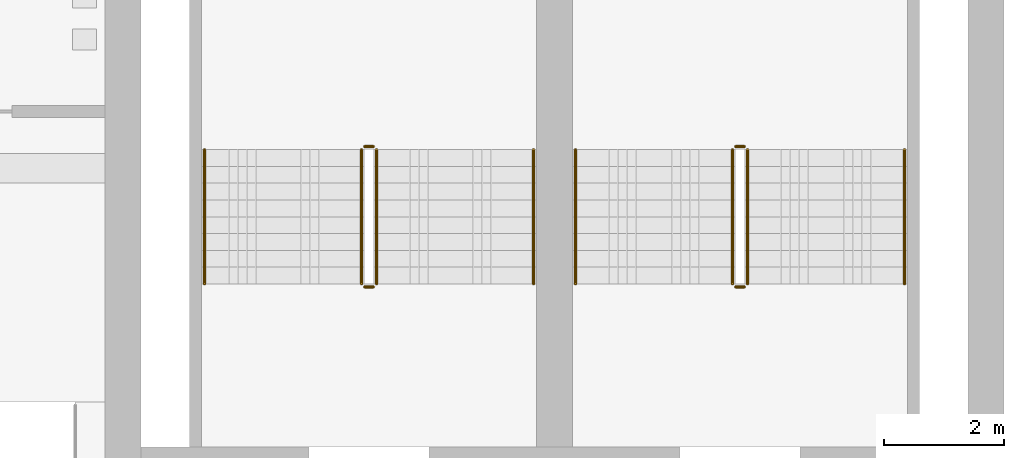
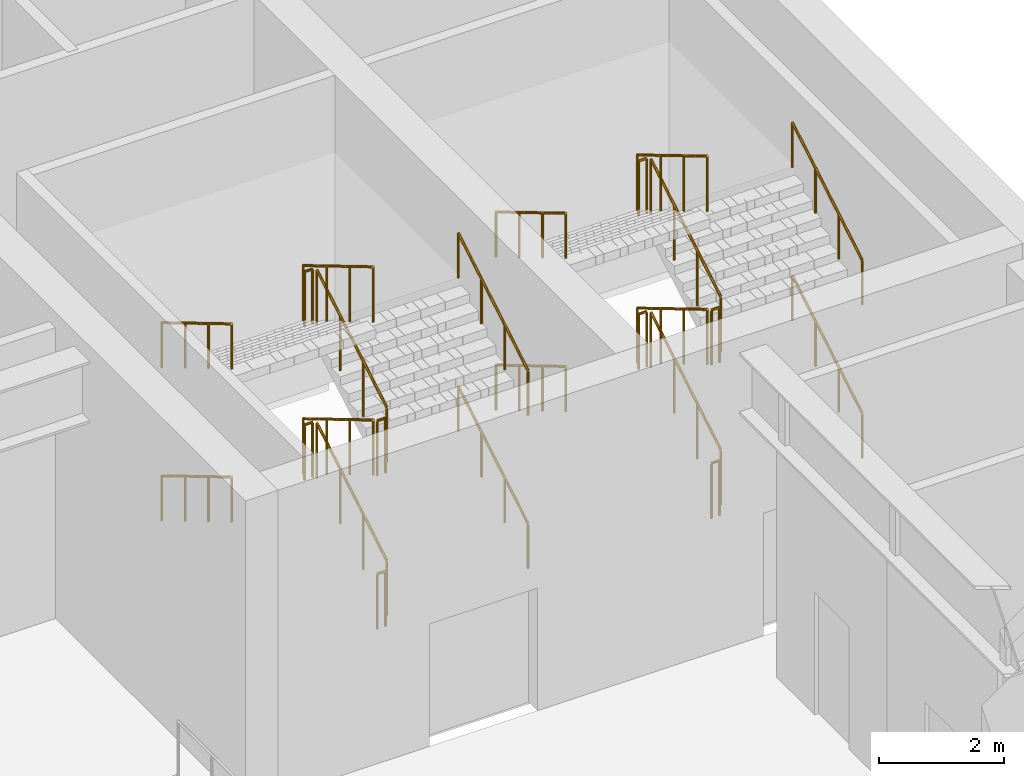
# One storey, part 40 of 41: 4 railings.
"""IFC4 building model written with IfcOpenShell, lengths in metres."""

import ifcopenshell
import ifcopenshell.guid

model = None  # the IFC model being written
_history = None  # IfcOwnerHistory: only IFC2X3 demands one
_inside = {}  # id of a spatial element -> (the spatial element, [elements in it])
_under = {}  # id of a project, library or spatial element -> (it, [spatial elements below it])
_declared = {}  # id of a project -> (the project, [libraries it declares])
_typed = {}  # id of a type object -> (the type object, [elements of that type])
_made_of = {}  # id of a material, layer set ... -> (it, [elements and type objects made of it])


def new_model(schema):
    """Start an empty IFC model of exactly this schema.

    Asked for "IFC4X3", IfcOpenShell would pick the latest addendum, in which some entities
    have other attributes; the version numbers below select the first issue.
    IFC2X3 requires an IfcOwnerHistory on every rooted entity: one is made here for all.
    """
    global model, _history
    if schema == "IFC4X3":
        model = ifcopenshell.file(schema_version=(4, 3, 0, 0))
    else:
        model = ifcopenshell.file(schema=schema)
    _inside.clear()
    _under.clear()
    _declared.clear()
    _typed.clear()
    _made_of.clear()
    _history = None
    if model.schema == "IFC2X3":
        org = make("IfcOrganization", Name="unknown")
        user = make(
            "IfcPersonAndOrganization",
            ThePerson=make("IfcPerson", FamilyName="unknown"),
            TheOrganization=org,
        )
        app = make(
            "IfcApplication",
            ApplicationDeveloper=org,
            Version="unknown",
            ApplicationFullName="unknown",
            ApplicationIdentifier="unknown",
        )
        _history = make(
            "IfcOwnerHistory",
            OwningUser=user,
            OwningApplication=app,
            ChangeAction="ADDED",
            CreationDate=0,
        )
    return model


def make(cls, **values):
    """One entity of the class cls with the attributes given. An attribute that is None is left unset."""
    return model.create_entity(
        cls, **{name: value for name, value in values.items() if value is not None}
    )


def rooted(cls, **values):
    """An entity with a GlobalId (a new one), such as an element, a storey or a relation."""
    return make(cls, GlobalId=ifcopenshell.guid.new(), OwnerHistory=_history, **values)


def si_unit(unit_type, name, prefix=None):
    """IfcSIUnit, for example si_unit("LENGTHUNIT", "METRE", prefix="MILLI")."""
    return make("IfcSIUnit", UnitType=unit_type, Prefix=prefix, Name=name)


def assignment(units):
    """IfcUnitAssignment: the units of a project."""
    return None if units is None else make("IfcUnitAssignment", Units=units)


def point(xyz):
    """IfcCartesianPoint."""
    return None if xyz is None else make("IfcCartesianPoint", Coordinates=xyz)


def direction(xyz):
    """IfcDirection."""
    return None if xyz is None else make("IfcDirection", DirectionRatios=xyz)


def frame(location, z_axis=None, x_axis=None):
    """IfcAxis2Placement3D, a coordinate frame: its origin and axes. An axis left out is left unset."""
    return make(
        "IfcAxis2Placement3D",
        Location=point(location),
        Axis=direction(z_axis),
        RefDirection=direction(x_axis),
    )


def frame_2d(location, x_axis=None):
    """IfcAxis2Placement2D, a coordinate frame in the plane: its origin and x axis."""
    return make(
        "IfcAxis2Placement2D", Location=point(location), RefDirection=direction(x_axis)
    )


def origin():
    """The frame at (0, 0, 0) with its axes left unset."""
    return frame((0.0, 0.0, 0.0))


def origin_2d():
    """The frame at (0, 0) in the plane with its x axis left unset."""
    return frame_2d((0.0, 0.0))


def place(relative_to, where):
    """IfcLocalPlacement: puts the frame where relative to a parent placement (None: the world)."""
    return make(
        "IfcLocalPlacement", PlacementRelTo=relative_to, RelativePlacement=where
    )


def context(
    kind, dimensions, precision=None, world=None, true_north=None, identifier=None
):
    """IfcGeometricRepresentationContext, for example the 3D "Model" context."""
    return make(
        "IfcGeometricRepresentationContext",
        ContextIdentifier=identifier,
        ContextType=kind,
        CoordinateSpaceDimension=dimensions,
        Precision=precision,
        WorldCoordinateSystem=world,
        TrueNorth=true_north,
    )


def subcontext(parent, identifier, kind, view, scale=None):
    """IfcGeometricRepresentationSubContext, for example "Body" below "Model"."""
    return make(
        "IfcGeometricRepresentationSubContext",
        ContextIdentifier=identifier,
        ContextType=kind,
        ParentContext=parent,
        TargetScale=scale,
        TargetView=view,
    )


def project(units=None, contexts=None):
    """IfcProject with its units and contexts."""
    return rooted(
        "IfcProject",
        Name="project",
        RepresentationContexts=contexts,
        UnitsInContext=assignment(units),
    )


def spatial(cls, under=None, at=None, **own):
    """A site, building, storey or space (cls), placed at a placement, below another one or the project."""
    s = rooted(cls, ObjectPlacement=at, **own)
    if under is not None:
        _under.setdefault(under.id(), (under, []))[1].append(s)
    return s


def profile(cls, at=None, kind="AREA", **sizes):
    """A parametric profile (cls). Its sizes go by their IFC names, for example OverallWidth=200.0."""
    return make(cls, ProfileType=kind, Position=at, **sizes)


def circle(**sizes):
    """IfcCircleProfileDef."""
    return profile("IfcCircleProfileDef", **sizes)


def extrude(swept, where, along, depth):
    """IfcExtrudedAreaSolid: the profile swept, set in the frame where, extruded along a direction by depth."""
    return make(
        "IfcExtrudedAreaSolid",
        SweptArea=swept,
        Position=where,
        ExtrudedDirection=direction(along),
        Depth=depth,
    )


def shape(context_of_items, identifier, shape_type, items):
    """IfcShapeRepresentation: the items that make up one representation, for example the "Body"."""
    return make(
        "IfcShapeRepresentation",
        ContextOfItems=context_of_items,
        RepresentationIdentifier=identifier,
        RepresentationType=shape_type,
        Items=items,
    )


def material(Name=None, Category=None):
    """IfcMaterial."""
    return make("IfcMaterial", Name=Name, Category=Category)


def made_of(thing, what):
    """Note that an element or type object is made of a material, layer set ...; save() writes the relation."""
    if what is not None:
        _made_of.setdefault(what.id(), (what, []))[1].append(thing)
    return thing


def type_object(cls, material=None, **own):
    """A type object (cls), such as IfcWallType, which elements share."""
    return made_of(rooted(cls, **own), material)


def element(
    cls,
    number,
    at=None,
    inside=None,
    cuts=None,
    type_object=None,
    material=None,
    context=None,
    identifier="Body",
    shape_type=None,
    held_by="IfcProductDefinitionShape",
    body=None,
    shapes=None,
    **own,
):
    """One element of the class cls, such as IfcWall. Its Tag is "e" and its number.

    at: its placement. inside: the storey or other place that contains it. cuts: it is an
    opening in that element (IfcRelVoidsElement). A single representation is given by context,
    identifier, shape_type and body (its items); several are given by shapes. held_by: the class
    of the entity that holds the representations. save() writes the other relations.
    """
    e = rooted(cls, Tag="e%d" % number, ObjectPlacement=at, **own)
    if body is not None:
        shapes = [shape(context, identifier, shape_type, body)]
    if shapes is not None:
        e.Representation = make(held_by, Representations=shapes)
    if inside is not None:
        _inside.setdefault(inside.id(), (inside, []))[1].append(e)
    if cuts is not None:
        rooted(
            "IfcRelVoidsElement", RelatingBuildingElement=cuts, RelatedOpeningElement=e
        )
    if type_object is not None:
        _typed.setdefault(type_object.id(), (type_object, []))[1].append(e)
    return made_of(e, material)


def aggregate(whole, parts):
    """IfcRelAggregates: a whole, such as a stair, and the parts it consists of."""
    return rooted("IfcRelAggregates", RelatingObject=whole, RelatedObjects=parts)


def save(model, path):
    """Write the relations noted so far, then the file.

    IfcRelAggregates (storeys below a building ...), IfcRelContainedInSpatialStructure (elements
    in a storey), IfcRelDefinesByType, IfcRelAssociatesMaterial and IfcRelDeclares: one each for
    every whole, place, type object, material and project.
    """
    for whole, parts in _under.values():
        aggregate(whole, parts)
    for where, things in _inside.values():
        rooted(
            "IfcRelContainedInSpatialStructure",
            RelatedElements=things,
            RelatingStructure=where,
        )
    for kind, things in _typed.values():
        rooted("IfcRelDefinesByType", RelatedObjects=things, RelatingType=kind)
    for what, things in _made_of.values():
        rooted("IfcRelAssociatesMaterial", RelatedObjects=things, RelatingMaterial=what)
    for by, libraries in _declared.values():
        rooted("IfcRelDeclares", RelatingContext=by, RelatedDefinitions=libraries)
    model.write(path)


model = new_model("IFC4")

# Units and contexts
model_context = context("Model", 3, precision=1e-05, world=origin(), true_north=direction((0.0, 1.0)))
body_context = subcontext(model_context, "Body", "Model", "MODEL_VIEW")
ifc_project = project(units=[si_unit("LENGTHUNIT", "METRE"), si_unit("AREAUNIT", "SQUARE_METRE"), si_unit("VOLUMEUNIT", "CUBIC_METRE"), si_unit("PLANEANGLEUNIT", "RADIAN"), si_unit("MASSUNIT", "GRAM", prefix="KILO")], contexts=[model_context])

# Site, building, storey
site_placement = place(None, origin())
site = spatial("IfcSite", under=ifc_project, at=site_placement, CompositionType="ELEMENT")
building_placement = place(site_placement, origin())
building = spatial("IfcBuilding", under=site, at=building_placement, Name="Corbelhall Arena Tower", CompositionType="ELEMENT")
storey_placement = place(building_placement, frame((0.0, 0.0, 19.0)))
storey = spatial("IfcBuildingStorey", under=building, at=storey_placement, Name="L02", CompositionType="ELEMENT", Elevation=19.0)

# Railings
ifc_material = material(Name="Stainless steel A4", Category="steel")
railing_type_1 = type_object("IfcRailingType", Name="AR-STAIR-GUARD", PredefinedType="GUARDRAIL", material=ifc_material)
railing_1_placement = place(storey_placement, frame((37.530029296875, 27.320068359375, 0.166748046875)))
element("IfcRailing", 1, at=railing_1_placement, inside=storey, type_object=railing_type_1, Name="L02 AS1 stair guards", PredefinedType="GUARDRAIL", context=body_context, shape_type="SweptSolid", body=[
    extrude(circle(Radius=0.02392578125, at=origin_2d()), frame((0.0, 0.0, 1.076171875), z_axis=(0.0, 0.859305625298, 0.511462454469), x_axis=(-1.0, 0.0, 0.0)), (0.0, 0.0, 1.0), 2.606689453125),
    extrude(circle(Radius=0.02392578125, at=origin_2d()), frame((-0.050048828125, 2.2900390625, 2.4091796875), z_axis=(-1.0, 0.0, 0.0), x_axis=(0.0, -1.0, 0.0)), (0.0, 0.0, 1.0), 0.14990234375),
    extrude(circle(Radius=0.02392578125, at=origin_2d()), frame((-0.25, 2.239990234375, 2.576171875), z_axis=(0.0, -0.859305625298, 0.511462454469), x_axis=(1.0, 0.0, 0.0)), (0.0, 0.0, 1.0), 2.606689453125),
    extrude(circle(Radius=0.02392578125, at=origin_2d()), frame((-0.050048828125, -0.050048828125, 3.9091796875), z_axis=(-1.0, 0.0, 0.0), x_axis=(0.0, -1.0, 0.0)), (0.0, 0.0, 1.0), 0.14990234375),
    extrude(circle(Radius=0.02392578125, at=origin_2d()), frame((0.0, 0.0, 4.076171875), z_axis=(0.0, 0.859305625298, 0.511462454469), x_axis=(-1.0, 0.0, 0.0)), (0.0, 0.0, 1.0), 2.606689453125),
    extrude(circle(Radius=0.02392578125, at=origin_2d()), frame((-0.050048828125, 2.2900390625, 5.4091796875), z_axis=(-1.0, 0.0, 0.0), x_axis=(0.0, -1.0, 0.0)), (0.0, 0.0, 1.0), 0.14990234375),
    extrude(circle(Radius=0.02392578125, at=origin_2d()), frame((-0.25, 2.239990234375, 5.576171875), z_axis=(0.0, -0.859305625298, 0.511462454469), x_axis=(1.0, 0.0, 0.0)), (0.0, 0.0, 1.0), 2.606689453125),
    extrude(circle(Radius=0.02392578125, at=origin_2d()), frame((-0.050048828125, -0.050048828125, 0.9091796875), z_axis=(-1.0, 0.0, 0.0), x_axis=(0.0, -1.0, 0.0)), (0.0, 0.0, 1.0), 0.14990234375),
    extrude(circle(Radius=0.02099609375, at=origin_2d()), origin(), (0.0, 0.0, 1.0), 1.052001953125),
    extrude(circle(Radius=0.02099609375, at=origin_2d()), frame((0.0, 0.74658203125, 0.4443359375)), (0.0, 0.0, 1.0), 1.052001953125),
    extrude(circle(Radius=0.02099609375, at=origin_2d()), frame((0.0, 1.493408203125, 0.888916015625)), (0.0, 0.0, 1.0), 1.052001953125),
    extrude(circle(Radius=0.02099609375, at=origin_2d()), frame((0.0, 2.239990234375, 1.333251953125)), (0.0, 0.0, 1.0), 1.052001953125),
    extrude(circle(Radius=0.02099609375, at=origin_2d()), frame((-0.050048828125, 2.2900390625, 1.333251953125)), (0.0, 0.0, 1.0), 1.052001953125),
    extrude(circle(Radius=0.02099609375, at=origin_2d()), frame((-0.199951171875, 2.2900390625, 1.333251953125)), (0.0, 0.0, 1.0), 1.052001953125),
    extrude(circle(Radius=0.02099609375, at=origin_2d()), frame((-0.25, 2.239990234375, 1.5)), (0.0, 0.0, 1.0), 1.052001953125),
    extrude(circle(Radius=0.02099609375, at=origin_2d()), frame((-0.25, 1.493408203125, 1.9443359375)), (0.0, 0.0, 1.0), 1.052001953125),
    extrude(circle(Radius=0.02099609375, at=origin_2d()), frame((-0.25, 0.74658203125, 2.388916015625)), (0.0, 0.0, 1.0), 1.052001953125),
    extrude(circle(Radius=0.02099609375, at=origin_2d()), frame((-0.25, 0.0, 2.833251953125)), (0.0, 0.0, 1.0), 1.052001953125),
    extrude(circle(Radius=0.02099609375, at=origin_2d()), frame((-0.050048828125, -0.050048828125, 2.833251953125)), (0.0, 0.0, 1.0), 1.052001953125),
    extrude(circle(Radius=0.02099609375, at=origin_2d()), frame((-0.199951171875, -0.050048828125, 2.833251953125)), (0.0, 0.0, 1.0), 1.052001953125),
    extrude(circle(Radius=0.02099609375, at=origin_2d()), frame((0.0, 0.0, 3.0)), (0.0, 0.0, 1.0), 1.052001953125),
    extrude(circle(Radius=0.02099609375, at=origin_2d()), frame((0.0, 0.74658203125, 3.4443359375)), (0.0, 0.0, 1.0), 1.052001953125),
    extrude(circle(Radius=0.02099609375, at=origin_2d()), frame((0.0, 1.493408203125, 3.888916015625)), (0.0, 0.0, 1.0), 1.052001953125),
    extrude(circle(Radius=0.02099609375, at=origin_2d()), frame((0.0, 2.239990234375, 4.333251953125)), (0.0, 0.0, 1.0), 1.052001953125),
    extrude(circle(Radius=0.02099609375, at=origin_2d()), frame((-0.050048828125, 2.2900390625, 4.333251953125)), (0.0, 0.0, 1.0), 1.052001953125),
    extrude(circle(Radius=0.02099609375, at=origin_2d()), frame((-0.199951171875, 2.2900390625, 4.333251953125)), (0.0, 0.0, 1.0), 1.052001953125),
    extrude(circle(Radius=0.02099609375, at=origin_2d()), frame((-0.25, 2.239990234375, 4.5)), (0.0, 0.0, 1.0), 1.052001953125),
    extrude(circle(Radius=0.02099609375, at=origin_2d()), frame((-0.25, 1.493408203125, 4.9443359375)), (0.0, 0.0, 1.0), 1.052001953125),
    extrude(circle(Radius=0.02099609375, at=origin_2d()), frame((-0.25, 0.74658203125, 5.388916015625)), (0.0, 0.0, 1.0), 1.052001953125),
    extrude(circle(Radius=0.02099609375, at=origin_2d()), frame((-0.25, 0.0, 5.833251953125)), (0.0, 0.0, 1.0), 1.052001953125),
    extrude(circle(Radius=0.02099609375, at=origin_2d()), frame((-0.050048828125, -0.050048828125, -0.166748046875)), (0.0, 0.0, 1.0), 1.052001953125),
    extrude(circle(Radius=0.02099609375, at=origin_2d()), frame((-0.199951171875, -0.050048828125, -0.166748046875)), (0.0, 0.0, 1.0), 1.052001953125),
])
railing_2_placement = place(storey_placement, frame((43.719970703125, 27.320068359375, 0.166748046875)))
element("IfcRailing", 2, at=railing_2_placement, inside=storey, type_object=railing_type_1, Name="L02 AS2 stair guards", PredefinedType="GUARDRAIL", context=body_context, shape_type="SweptSolid", body=[
    extrude(circle(Radius=0.02392578125, at=origin_2d()), frame((0.0, 0.0, 1.076171875), z_axis=(0.0, 0.859305625298, 0.511462454469), x_axis=(-1.0, 0.0, 0.0)), (0.0, 0.0, 1.0), 2.606689453125),
    extrude(circle(Radius=0.02392578125, at=origin_2d()), frame((-0.050048828125, 2.2900390625, 2.4091796875), z_axis=(-1.0, 0.0, 0.0), x_axis=(0.0, -1.0, 0.0)), (0.0, 0.0, 1.0), 0.14990234375),
    extrude(circle(Radius=0.02392578125, at=origin_2d()), frame((-0.25, 2.239990234375, 2.576171875), z_axis=(0.0, -0.859305625298, 0.511462454469), x_axis=(1.0, 0.0, 0.0)), (0.0, 0.0, 1.0), 2.606689453125),
    extrude(circle(Radius=0.02392578125, at=origin_2d()), frame((-0.050048828125, -0.050048828125, 3.9091796875), z_axis=(-1.0, 0.0, 0.0), x_axis=(0.0, -1.0, 0.0)), (0.0, 0.0, 1.0), 0.14990234375),
    extrude(circle(Radius=0.02392578125, at=origin_2d()), frame((0.0, 0.0, 4.076171875), z_axis=(0.0, 0.859305625298, 0.511462454469), x_axis=(-1.0, 0.0, 0.0)), (0.0, 0.0, 1.0), 2.606689453125),
    extrude(circle(Radius=0.02392578125, at=origin_2d()), frame((-0.050048828125, 2.2900390625, 5.4091796875), z_axis=(-1.0, 0.0, 0.0), x_axis=(0.0, -1.0, 0.0)), (0.0, 0.0, 1.0), 0.14990234375),
    extrude(circle(Radius=0.02392578125, at=origin_2d()), frame((-0.25, 2.239990234375, 5.576171875), z_axis=(0.0, -0.859305625298, 0.511462454469), x_axis=(1.0, 0.0, 0.0)), (0.0, 0.0, 1.0), 2.606689453125),
    extrude(circle(Radius=0.02392578125, at=origin_2d()), frame((-0.050048828125, -0.050048828125, 0.9091796875), z_axis=(-1.0, 0.0, 0.0), x_axis=(0.0, -1.0, 0.0)), (0.0, 0.0, 1.0), 0.14990234375),
    extrude(circle(Radius=0.02099609375, at=origin_2d()), origin(), (0.0, 0.0, 1.0), 1.052001953125),
    extrude(circle(Radius=0.02099609375, at=origin_2d()), frame((0.0, 0.74658203125, 0.4443359375)), (0.0, 0.0, 1.0), 1.052001953125),
    extrude(circle(Radius=0.02099609375, at=origin_2d()), frame((0.0, 1.493408203125, 0.888916015625)), (0.0, 0.0, 1.0), 1.052001953125),
    extrude(circle(Radius=0.02099609375, at=origin_2d()), frame((0.0, 2.239990234375, 1.333251953125)), (0.0, 0.0, 1.0), 1.052001953125),
    extrude(circle(Radius=0.02099609375, at=origin_2d()), frame((-0.050048828125, 2.2900390625, 1.333251953125)), (0.0, 0.0, 1.0), 1.052001953125),
    extrude(circle(Radius=0.02099609375, at=origin_2d()), frame((-0.199951171875, 2.2900390625, 1.333251953125)), (0.0, 0.0, 1.0), 1.052001953125),
    extrude(circle(Radius=0.02099609375, at=origin_2d()), frame((-0.25, 2.239990234375, 1.5)), (0.0, 0.0, 1.0), 1.052001953125),
    extrude(circle(Radius=0.02099609375, at=origin_2d()), frame((-0.25, 1.493408203125, 1.9443359375)), (0.0, 0.0, 1.0), 1.052001953125),
    extrude(circle(Radius=0.02099609375, at=origin_2d()), frame((-0.25, 0.74658203125, 2.388916015625)), (0.0, 0.0, 1.0), 1.052001953125),
    extrude(circle(Radius=0.02099609375, at=origin_2d()), frame((-0.25, 0.0, 2.833251953125)), (0.0, 0.0, 1.0), 1.052001953125),
    extrude(circle(Radius=0.02099609375, at=origin_2d()), frame((-0.050048828125, -0.050048828125, 2.833251953125)), (0.0, 0.0, 1.0), 1.052001953125),
    extrude(circle(Radius=0.02099609375, at=origin_2d()), frame((-0.199951171875, -0.050048828125, 2.833251953125)), (0.0, 0.0, 1.0), 1.052001953125),
    extrude(circle(Radius=0.02099609375, at=origin_2d()), frame((0.0, 0.0, 3.0)), (0.0, 0.0, 1.0), 1.052001953125),
    extrude(circle(Radius=0.02099609375, at=origin_2d()), frame((0.0, 0.74658203125, 3.4443359375)), (0.0, 0.0, 1.0), 1.052001953125),
    extrude(circle(Radius=0.02099609375, at=origin_2d()), frame((0.0, 1.493408203125, 3.888916015625)), (0.0, 0.0, 1.0), 1.052001953125),
    extrude(circle(Radius=0.02099609375, at=origin_2d()), frame((0.0, 2.239990234375, 4.333251953125)), (0.0, 0.0, 1.0), 1.052001953125),
    extrude(circle(Radius=0.02099609375, at=origin_2d()), frame((-0.050048828125, 2.2900390625, 4.333251953125)), (0.0, 0.0, 1.0), 1.052001953125),
    extrude(circle(Radius=0.02099609375, at=origin_2d()), frame((-0.199951171875, 2.2900390625, 4.333251953125)), (0.0, 0.0, 1.0), 1.052001953125),
    extrude(circle(Radius=0.02099609375, at=origin_2d()), frame((-0.25, 2.239990234375, 4.5)), (0.0, 0.0, 1.0), 1.052001953125),
    extrude(circle(Radius=0.02099609375, at=origin_2d()), frame((-0.25, 1.493408203125, 4.9443359375)), (0.0, 0.0, 1.0), 1.052001953125),
    extrude(circle(Radius=0.02099609375, at=origin_2d()), frame((-0.25, 0.74658203125, 5.388916015625)), (0.0, 0.0, 1.0), 1.052001953125),
    extrude(circle(Radius=0.02099609375, at=origin_2d()), frame((-0.25, 0.0, 5.833251953125)), (0.0, 0.0, 1.0), 1.052001953125),
    extrude(circle(Radius=0.02099609375, at=origin_2d()), frame((-0.050048828125, -0.050048828125, -0.166748046875)), (0.0, 0.0, 1.0), 1.052001953125),
    extrude(circle(Radius=0.02099609375, at=origin_2d()), frame((-0.199951171875, -0.050048828125, -0.166748046875)), (0.0, 0.0, 1.0), 1.052001953125),
])
railing_type_2 = type_object("IfcRailingType", Name="AR-STAIR-HANDRAIL", PredefinedType="HANDRAIL", material=ifc_material)
railing_3_placement = place(storey_placement, frame((40.14990234375, 27.320068359375, 0.166748046875)))
element("IfcRailing", 3, at=railing_3_placement, inside=storey, type_object=railing_type_2, Name="L02 AS1 stair handrails", PredefinedType="HANDRAIL", context=body_context, shape_type="SweptSolid", body=[
    extrude(circle(Radius=0.02392578125, at=origin_2d()), frame((0.0, 0.0, 0.8759765625), z_axis=(0.0, 0.859305625298, 0.511462454469), x_axis=(-1.0, 0.0, 0.0)), (0.0, 0.0, 1.0), 2.606689453125),
    extrude(circle(Radius=0.02392578125, at=origin_2d()), frame((-5.489990234375, 2.239990234375, 2.3759765625), z_axis=(0.0, -0.859305625298, 0.511462454469), x_axis=(1.0, 0.0, 0.0)), (0.0, 0.0, 1.0), 2.606689453125),
    extrude(circle(Radius=0.02392578125, at=origin_2d()), frame((0.0, 0.0, 3.8759765625), z_axis=(0.0, 0.859305625298, 0.511462454469), x_axis=(-1.0, 0.0, 0.0)), (0.0, 0.0, 1.0), 2.606689453125),
    extrude(circle(Radius=0.02392578125, at=origin_2d()), frame((-5.489990234375, 2.239990234375, 5.3759765625), z_axis=(0.0, -0.859305625298, 0.511462454469), x_axis=(1.0, 0.0, 0.0)), (0.0, 0.0, 1.0), 2.606689453125),
    extrude(circle(Radius=0.02099609375, at=origin_2d()), origin(), (0.0, 0.0, 1.0), 0.851806640625),
    extrude(circle(Radius=0.02099609375, at=origin_2d()), frame((0.0, 0.74658203125, 0.4443359375)), (0.0, 0.0, 1.0), 0.851806640625),
    extrude(circle(Radius=0.02099609375, at=origin_2d()), frame((0.0, 1.493408203125, 0.888916015625)), (0.0, 0.0, 1.0), 0.851806640625),
    extrude(circle(Radius=0.02099609375, at=origin_2d()), frame((0.0, 2.239990234375, 1.333251953125)), (0.0, 0.0, 1.0), 0.851806640625),
    extrude(circle(Radius=0.02099609375, at=origin_2d()), frame((-5.489990234375, 2.239990234375, 1.5)), (0.0, 0.0, 1.0), 0.851806640625),
    extrude(circle(Radius=0.02099609375, at=origin_2d()), frame((-5.489990234375, 1.493408203125, 1.9443359375)), (0.0, 0.0, 1.0), 0.851806640625),
    extrude(circle(Radius=0.02099609375, at=origin_2d()), frame((-5.489990234375, 0.74658203125, 2.388916015625)), (0.0, 0.0, 1.0), 0.851806640625),
    extrude(circle(Radius=0.02099609375, at=origin_2d()), frame((-5.489990234375, 0.0, 2.833251953125)), (0.0, 0.0, 1.0), 0.851806640625),
    extrude(circle(Radius=0.02099609375, at=origin_2d()), frame((0.0, 0.0, 3.0)), (0.0, 0.0, 1.0), 0.851806640625),
    extrude(circle(Radius=0.02099609375, at=origin_2d()), frame((0.0, 0.74658203125, 3.4443359375)), (0.0, 0.0, 1.0), 0.851806640625),
    extrude(circle(Radius=0.02099609375, at=origin_2d()), frame((0.0, 1.493408203125, 3.888916015625)), (0.0, 0.0, 1.0), 0.851806640625),
    extrude(circle(Radius=0.02099609375, at=origin_2d()), frame((0.0, 2.239990234375, 4.333251953125)), (0.0, 0.0, 1.0), 0.851806640625),
    extrude(circle(Radius=0.02099609375, at=origin_2d()), frame((-5.489990234375, 2.239990234375, 4.5)), (0.0, 0.0, 1.0), 0.851806640625),
    extrude(circle(Radius=0.02099609375, at=origin_2d()), frame((-5.489990234375, 1.493408203125, 4.9443359375)), (0.0, 0.0, 1.0), 0.851806640625),
    extrude(circle(Radius=0.02099609375, at=origin_2d()), frame((-5.489990234375, 0.74658203125, 5.388916015625)), (0.0, 0.0, 1.0), 0.851806640625),
    extrude(circle(Radius=0.02099609375, at=origin_2d()), frame((-5.489990234375, 0.0, 5.833251953125)), (0.0, 0.0, 1.0), 0.851806640625),
])
railing_4_placement = place(storey_placement, frame((46.340087890625, 27.320068359375, 0.166748046875)))
element("IfcRailing", 4, at=railing_4_placement, inside=storey, type_object=railing_type_2, Name="L02 AS2 stair handrails", PredefinedType="HANDRAIL", context=body_context, shape_type="SweptSolid", body=[
    extrude(circle(Radius=0.02392578125, at=origin_2d()), frame((0.0, 0.0, 0.8759765625), z_axis=(0.0, 0.859305625298, 0.511462454469), x_axis=(-1.0, 0.0, 0.0)), (0.0, 0.0, 1.0), 2.606689453125),
    extrude(circle(Radius=0.02392578125, at=origin_2d()), frame((-5.489990234375, 2.239990234375, 2.3759765625), z_axis=(0.0, -0.859305625298, 0.511462454469), x_axis=(1.0, 0.0, 0.0)), (0.0, 0.0, 1.0), 2.606689453125),
    extrude(circle(Radius=0.02392578125, at=origin_2d()), frame((0.0, 0.0, 3.8759765625), z_axis=(0.0, 0.859305625298, 0.511462454469), x_axis=(-1.0, 0.0, 0.0)), (0.0, 0.0, 1.0), 2.606689453125),
    extrude(circle(Radius=0.02392578125, at=origin_2d()), frame((-5.489990234375, 2.239990234375, 5.3759765625), z_axis=(0.0, -0.859305625298, 0.511462454469), x_axis=(1.0, 0.0, 0.0)), (0.0, 0.0, 1.0), 2.606689453125),
    extrude(circle(Radius=0.02099609375, at=origin_2d()), origin(), (0.0, 0.0, 1.0), 0.851806640625),
    extrude(circle(Radius=0.02099609375, at=origin_2d()), frame((0.0, 0.74658203125, 0.4443359375)), (0.0, 0.0, 1.0), 0.851806640625),
    extrude(circle(Radius=0.02099609375, at=origin_2d()), frame((0.0, 1.493408203125, 0.888916015625)), (0.0, 0.0, 1.0), 0.851806640625),
    extrude(circle(Radius=0.02099609375, at=origin_2d()), frame((0.0, 2.239990234375, 1.333251953125)), (0.0, 0.0, 1.0), 0.851806640625),
    extrude(circle(Radius=0.02099609375, at=origin_2d()), frame((-5.489990234375, 2.239990234375, 1.5)), (0.0, 0.0, 1.0), 0.851806640625),
    extrude(circle(Radius=0.02099609375, at=origin_2d()), frame((-5.489990234375, 1.493408203125, 1.9443359375)), (0.0, 0.0, 1.0), 0.851806640625),
    extrude(circle(Radius=0.02099609375, at=origin_2d()), frame((-5.489990234375, 0.74658203125, 2.388916015625)), (0.0, 0.0, 1.0), 0.851806640625),
    extrude(circle(Radius=0.02099609375, at=origin_2d()), frame((-5.489990234375, 0.0, 2.833251953125)), (0.0, 0.0, 1.0), 0.851806640625),
    extrude(circle(Radius=0.02099609375, at=origin_2d()), frame((0.0, 0.0, 3.0)), (0.0, 0.0, 1.0), 0.851806640625),
    extrude(circle(Radius=0.02099609375, at=origin_2d()), frame((0.0, 0.74658203125, 3.4443359375)), (0.0, 0.0, 1.0), 0.851806640625),
    extrude(circle(Radius=0.02099609375, at=origin_2d()), frame((0.0, 1.493408203125, 3.888916015625)), (0.0, 0.0, 1.0), 0.851806640625),
    extrude(circle(Radius=0.02099609375, at=origin_2d()), frame((0.0, 2.239990234375, 4.333251953125)), (0.0, 0.0, 1.0), 0.851806640625),
    extrude(circle(Radius=0.02099609375, at=origin_2d()), frame((-5.489990234375, 2.239990234375, 4.5)), (0.0, 0.0, 1.0), 0.851806640625),
    extrude(circle(Radius=0.02099609375, at=origin_2d()), frame((-5.489990234375, 1.493408203125, 4.9443359375)), (0.0, 0.0, 1.0), 0.851806640625),
    extrude(circle(Radius=0.02099609375, at=origin_2d()), frame((-5.489990234375, 0.74658203125, 5.388916015625)), (0.0, 0.0, 1.0), 0.851806640625),
    extrude(circle(Radius=0.02099609375, at=origin_2d()), frame((-5.489990234375, 0.0, 5.833251953125)), (0.0, 0.0, 1.0), 0.851806640625),
])

save(model, "model.ifc")
